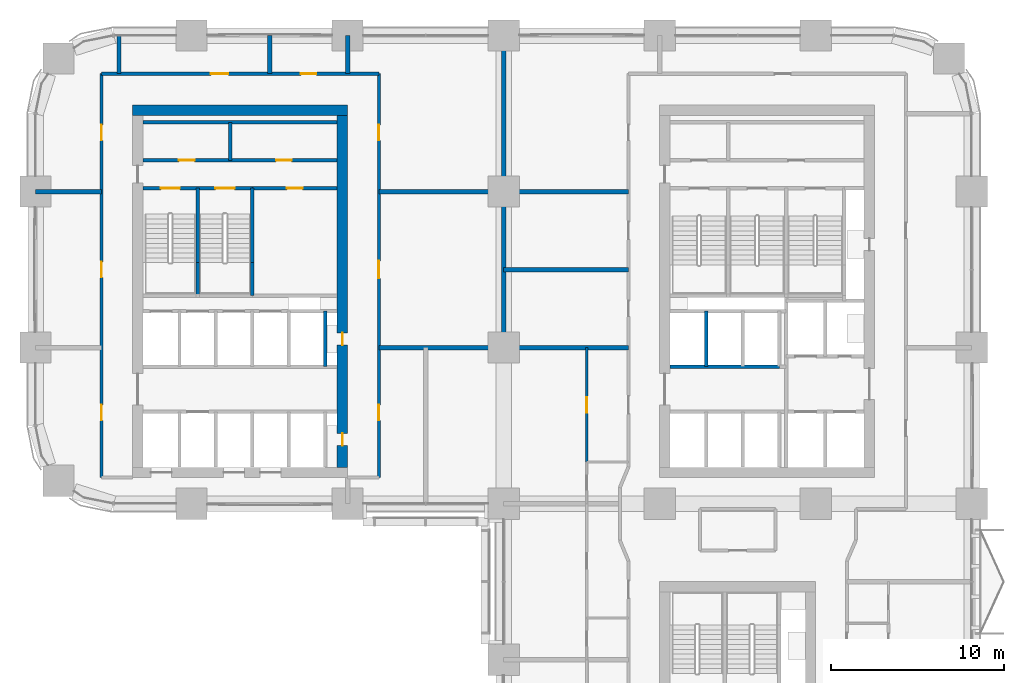
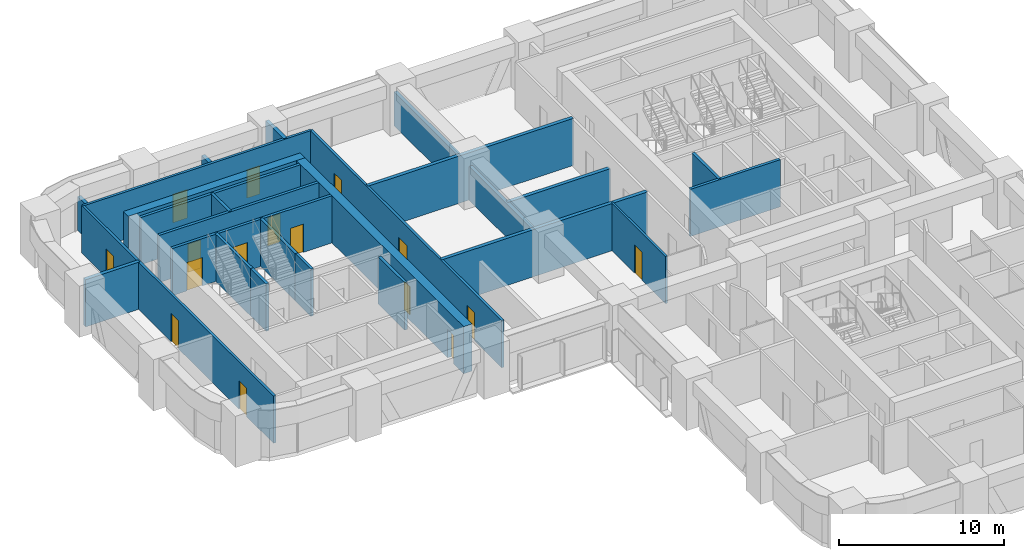
# One storey, part 14 of 18: 26 walls, 16 doors, 16 openings.
"""IFC4 building model written with IfcOpenShell, lengths in metres."""

from ifc_helpers import new_model, si_unit, direction, frame, frame_2d, origin, place, context, subcontext, project, spatial, rectangle, extrude, material, layer, layer_set, type_object, element, fill, save


model = new_model("IFC4")

# Units and contexts
model_context = context("Model", 3, precision=1e-05, world=origin(), true_north=direction((0.0, 1.0)))
body_context = subcontext(model_context, "Body", "Model", "MODEL_VIEW")
ifc_project = project(units=[si_unit("LENGTHUNIT", "METRE"), si_unit("AREAUNIT", "SQUARE_METRE"), si_unit("VOLUMEUNIT", "CUBIC_METRE"), si_unit("PLANEANGLEUNIT", "RADIAN"), si_unit("MASSUNIT", "GRAM", prefix="KILO")], contexts=[model_context])

# Site, building, storey
site_placement = place(None, origin())
site = spatial("IfcSite", under=ifc_project, at=site_placement, CompositionType="ELEMENT")
building_placement = place(site_placement, origin())
building = spatial("IfcBuilding", under=site, at=building_placement, Name="Tessera Arch", CompositionType="ELEMENT")
storey_placement = place(building_placement, frame((0.0, 0.0, 104.39990234375)))
storey = spatial("IfcBuildingStorey", under=building, at=storey_placement, Name="L24", CompositionType="ELEMENT", Elevation=104.39990234375)

# Wall
ifc_material_1 = material(Name="Gypsum board on steel stud", Category="steel")
ifc_layer_1 = layer(ifc_material_1, 0.125)
ifc_layer_set_1 = layer_set([ifc_layer_1], Name="Core partition 125 EI 60")
wall_type_1 = type_object("IfcWallType", Name="Core partition 125 EI 60", PredefinedType="PARTITIONING", material=ifc_layer_set_1)
wall_1_placement = place(storey_placement, frame((11.239990234375, 46.800048828125, 0.0), z_axis=(0.0, 0.0, 1.0), x_axis=(0.0, 1.0, 0.0)))
element("IfcWall", 1, at=wall_1_placement, inside=storey, type_object=wall_type_1, Name="L24 C2 partition wall 7", PredefinedType="PARTITIONING", context=body_context, shape_type="SweptSolid", body=[
    extrude(rectangle(XDim=2.199951171875, YDim=0.199951171875, at=frame_2d((1.10009765625, 0.0))), origin(), (0.0, 0.0, 1.0), 3.5),
])

# Wall, opening, door
wall_2_placement = place(storey_placement, frame((12.5, 45.199951171875, 0.0), z_axis=(0.0, 0.0, 1.0), x_axis=(1.0, 0.0, 0.0)))
wall_2 = element("IfcWall", 2, at=wall_2_placement, inside=storey, type_object=wall_type_1, Name="L24 C2 partition wall 23", PredefinedType="PARTITIONING", context=body_context, shape_type="SweptSolid", body=[
    extrude(rectangle(XDim=4.89990234375, YDim=0.199951171875, at=frame_2d((2.449951171875, 0.0))), origin(), (0.0, 0.0, 1.0), 3.5),
])
opening_1_placement = place(wall_2_placement, frame((2.0, 0.0, 0.0)))
opening_1 = element("IfcOpeningElement", 3, at=opening_1_placement, cuts=wall_2, Name="Opening L24-C30", PredefinedType="OPENING", context=body_context, shape_type="SweptSolid", body=[
    extrude(rectangle(XDim=0.89990234375, YDim=2.10009765625, at=frame_2d((0.449951171875, 1.050048828125))), frame((0.0, 0.10986328125, 0.0), z_axis=(0.0, -1.0, 0.0), x_axis=(1.0, 0.0, 0.0)), (0.0, 0.0, 1.0), 0.219970703125),
])
ifc_material_2 = material(Name="Steel door leaf", Category="steel")
door_type_1 = type_object("IfcDoorType", Name="Store door FD30S 900 x 2100", OperationType="SINGLE_SWING_LEFT", PredefinedType="DOOR", material=ifc_material_2)
door_1_placement = place(opening_1_placement, origin())
door_1 = element("IfcDoor", 4, at=door_1_placement, inside=storey, type_object=door_type_1, Name="L24 C2 door 17 C30 type D09", OperationType="SINGLE_SWING_RIGHT", OverallHeight=2.10009765625, OverallWidth=0.89990234375, PredefinedType="DOOR", context=body_context, shape_type="SweptSolid", body=[
    extrude(rectangle(XDim=0.89990234375, YDim=2.10009765625, at=frame_2d((0.449951171875, 1.050048828125))), frame((0.0, 0.02490234375, 0.0), z_axis=(0.0, -1.0, 0.0), x_axis=(1.0, 0.0, 0.0)), (0.0, 0.0, 1.0), 0.050048828125),
])
fill(opening_1, door_1)

# Wall, openings, doors
wall_3_placement = place(storey_placement, frame((6.199951171875, 46.800048828125, 0.0), z_axis=(0.0, 0.0, 1.0), x_axis=(1.0, 0.0, 0.0)))
wall_3 = element("IfcWall", 5, at=wall_3_placement, inside=storey, type_object=wall_type_1, Name="L24 C2 partition wall 25", PredefinedType="PARTITIONING", context=body_context, shape_type="SweptSolid", body=[
    extrude(rectangle(XDim=11.199951171875, YDim=0.199951171875, at=frame_2d((5.60009765625, 0.0))), origin(), (0.0, 0.0, 1.0), 3.5),
])
opening_2_placement = place(wall_3_placement, frame((2.070068359375, 0.0, 0.0)))
opening_2 = element("IfcOpeningElement", 6, at=opening_2_placement, cuts=wall_3, Name="Opening L24-C28", PredefinedType="OPENING", context=body_context, shape_type="SweptSolid", body=[
    extrude(rectangle(XDim=0.89990234375, YDim=2.10009765625, at=frame_2d((0.449951171875, 1.050048828125))), frame((0.0, 0.10986328125, 0.0), z_axis=(0.0, -1.0, 0.0), x_axis=(1.0, 0.0, 0.0)), (0.0, 0.0, 1.0), 0.219970703125),
])
opening_3_placement = place(wall_3_placement, frame((7.669921875, 0.0, 0.0)))
opening_3 = element("IfcOpeningElement", 7, at=opening_3_placement, cuts=wall_3, Name="Opening L24-C29", PredefinedType="OPENING", context=body_context, shape_type="SweptSolid", body=[
    extrude(rectangle(XDim=0.89990234375, YDim=2.10009765625, at=frame_2d((0.449951171875, 1.050048828125))), frame((0.0, 0.10986328125, 0.0), z_axis=(0.0, -1.0, 0.0), x_axis=(1.0, 0.0, 0.0)), (0.0, 0.0, 1.0), 0.219970703125),
])
door_2_placement = place(opening_2_placement, origin())
door_2 = element("IfcDoor", 8, at=door_2_placement, inside=storey, type_object=door_type_1, Name="L24 C2 door 15 C28 type D09", OperationType="SINGLE_SWING_LEFT", OverallHeight=2.10009765625, OverallWidth=0.89990234375, PredefinedType="DOOR", context=body_context, shape_type="SweptSolid", body=[
    extrude(rectangle(XDim=0.89990234375, YDim=2.10009765625, at=frame_2d((0.449951171875, 1.050048828125))), frame((0.0, 0.02490234375, 0.0), z_axis=(0.0, -1.0, 0.0), x_axis=(1.0, 0.0, 0.0)), (0.0, 0.0, 1.0), 0.050048828125),
])
fill(opening_2, door_2)
door_3_placement = place(opening_3_placement, origin())
door_3 = element("IfcDoor", 9, at=door_3_placement, inside=storey, type_object=door_type_1, Name="L24 C2 door 16 C29 type D09", OperationType="SINGLE_SWING_RIGHT", OverallHeight=2.10009765625, OverallWidth=0.89990234375, PredefinedType="DOOR", context=body_context, shape_type="SweptSolid", body=[
    extrude(rectangle(XDim=0.89990234375, YDim=2.10009765625, at=frame_2d((0.449951171875, 1.050048828125))), frame((0.0, 0.02490234375, 0.0), z_axis=(0.0, -1.0, 0.0), x_axis=(1.0, 0.0, 0.0)), (0.0, 0.0, 1.0), 0.050048828125),
])
fill(opening_3, door_3)

# Walls
wall_4_placement = place(storey_placement, frame((6.199951171875, 49.0, 0.0), z_axis=(0.0, 0.0, 1.0), x_axis=(1.0, 0.0, 0.0)))
element("IfcWall", 10, at=wall_4_placement, inside=storey, type_object=wall_type_1, Name="L24 C2 partition wall 26", PredefinedType="PARTITIONING", context=body_context, shape_type="SweptSolid", body=[
    extrude(rectangle(XDim=11.199951171875, YDim=0.199951171875, at=frame_2d((5.60009765625, 0.0))), origin(), (0.0, 0.0, 1.0), 3.5),
])
ifc_material_3 = material(Name="Concrete C70/85", Category="concrete")
ifc_layer_2 = layer(ifc_material_3, 0.60009765625)
ifc_layer_set_2 = layer_set([ifc_layer_2], Name="Core shell wall 600 C70-85")
wall_type_2 = type_object("IfcWallType", Name="Core shell wall 600 C70-85", PredefinedType="SHEAR", material=ifc_layer_set_2)
wall_5_placement = place(storey_placement, frame((5.60009765625, 49.699951171875, 0.0), z_axis=(0.0, 0.0, 1.0), x_axis=(1.0, 0.0, 0.0)))
element("IfcWall", 11, at=wall_5_placement, inside=storey, type_object=wall_type_2, Name="L24 C2 core wall N", PredefinedType="SHEAR", context=body_context, shape_type="SweptSolid", body=[
    extrude(rectangle(XDim=12.39990234375, YDim=0.60009765625, at=frame_2d((6.199951171875, 0.0))), origin(), (0.0, 0.0, 1.0), 3.5),
])

# Wall, openings, doors
wall_6_placement = place(storey_placement, frame((17.699951171875, 29.10009765625, 0.0), z_axis=(0.0, 0.0, 1.0), x_axis=(0.0, 1.0, 0.0)))
wall_6 = element("IfcWall", 12, at=wall_6_placement, inside=storey, type_object=wall_type_2, Name="L24 C2 core wall E", PredefinedType="SHEAR", context=body_context, shape_type="SweptSolid", body=[
    extrude(rectangle(XDim=20.2998046875, YDim=0.60009765625, at=frame_2d((10.14990234375, 0.0))), origin(), (0.0, 0.0, 1.0), 3.5),
])
opening_4_placement = place(wall_6_placement, frame((1.25, 0.0, 0.0)))
opening_4 = element("IfcOpeningElement", 13, at=opening_4_placement, cuts=wall_6, Name="Opening L24-C22", PredefinedType="OPENING", context=body_context, shape_type="SweptSolid", body=[
    extrude(rectangle(XDim=0.699951171875, YDim=2.10009765625, at=frame_2d((0.35009765625, 1.050048828125))), frame((0.0, 0.31005859375, 0.0), z_axis=(0.0, -1.0, 0.0), x_axis=(1.0, 0.0, 0.0)), (0.0, 0.0, 1.0), 0.6201171875),
])
opening_5_placement = place(wall_6_placement, frame((7.050048828125, 0.0, 0.0)))
opening_5 = element("IfcOpeningElement", 14, at=opening_5_placement, cuts=wall_6, Name="Opening L24-C23", PredefinedType="OPENING", context=body_context, shape_type="SweptSolid", body=[
    extrude(rectangle(XDim=0.699951171875, YDim=2.10009765625, at=frame_2d((0.35009765625, 1.050048828125))), frame((0.0, 0.31005859375, 0.0), z_axis=(0.0, -1.0, 0.0), x_axis=(1.0, 0.0, 0.0)), (0.0, 0.0, 1.0), 0.6201171875),
])
ifc_material_4 = material(Name="Steel door leaf", Category="steel")
door_type_2 = type_object("IfcDoorType", Name="Service shaft door FD60 700 x 2100", OperationType="SINGLE_SWING_LEFT", PredefinedType="DOOR", material=ifc_material_4)
door_4_placement = place(opening_4_placement, origin())
door_4 = element("IfcDoor", 15, at=door_4_placement, inside=storey, type_object=door_type_2, Name="L24 C2 door 9 C22 type D07", OperationType="SINGLE_SWING_LEFT", OverallHeight=2.10009765625, OverallWidth=0.699951171875, PredefinedType="DOOR", context=body_context, shape_type="SweptSolid", body=[
    extrude(rectangle(XDim=0.699951171875, YDim=2.10009765625, at=frame_2d((0.35009765625, 1.050048828125))), frame((0.0, 0.02490234375, 0.0), z_axis=(0.0, -1.0, 0.0), x_axis=(1.0, 0.0, 0.0)), (0.0, 0.0, 1.0), 0.050048828125),
])
fill(opening_4, door_4)
door_5_placement = place(opening_5_placement, origin())
door_5 = element("IfcDoor", 16, at=door_5_placement, inside=storey, type_object=door_type_2, Name="L24 C2 door 10 C23 type D07", OperationType="SINGLE_SWING_LEFT", OverallHeight=2.10009765625, OverallWidth=0.699951171875, PredefinedType="DOOR", context=body_context, shape_type="SweptSolid", body=[
    extrude(rectangle(XDim=0.699951171875, YDim=2.10009765625, at=frame_2d((0.35009765625, 1.050048828125))), frame((0.0, 0.02490234375, 0.0), z_axis=(0.0, -1.0, 0.0), x_axis=(1.0, 0.0, 0.0)), (0.0, 0.0, 1.0), 0.050048828125),
])
fill(opening_5, door_5)

ifc_material_5 = material(Name="Gypsum board on deep steel stud with mineral wool", Category="steel")
ifc_layer_3 = layer(ifc_material_5, 0.175048828125)
ifc_layer_set_3 = layer_set([ifc_layer_3], Name="Corridor wall 175 EI 60")
wall_type_3 = type_object("IfcWallType", Name="Corridor wall 175 EI 60", PredefinedType="PARTITIONING", material=ifc_layer_set_3)
wall_7_placement = place(storey_placement, frame((3.800048828125, 51.800048828125, 0.0), z_axis=(0.0, 0.0, 1.0), x_axis=(1.0, 0.0, 0.0)))
wall_7 = element("IfcWall", 17, at=wall_7_placement, inside=storey, type_object=wall_type_3, Name="L24 partition 7", PredefinedType="PARTITIONING", context=body_context, shape_type="SweptSolid", body=[
    extrude(rectangle(XDim=16.0, YDim=0.175048828125, at=frame_2d((8.0, 0.0))), origin(), (0.0, 0.0, 1.0), 3.5),
])
opening_6_placement = place(wall_7_placement, frame((6.314453125, 0.0, 0.0)))
opening_6 = element("IfcOpeningElement", 18, at=opening_6_placement, cuts=wall_7, Name="Opening L24-D034", PredefinedType="OPENING", context=body_context, shape_type="SweptSolid", body=[
    extrude(rectangle(XDim=1.0, YDim=2.10009765625, at=frame_2d((0.5, 1.050048828125))), frame((0.0, 0.097412109375, 0.0), z_axis=(0.0, -1.0, 0.0), x_axis=(1.0, 0.0, 0.0)), (0.0, 0.0, 1.0), 0.195068359375),
])
opening_7_placement = place(wall_7_placement, frame((11.5, 0.0, 0.0)))
opening_7 = element("IfcOpeningElement", 19, at=opening_7_placement, cuts=wall_7, Name="Opening L24-D035", PredefinedType="OPENING", context=body_context, shape_type="SweptSolid", body=[
    extrude(rectangle(XDim=0.89990234375, YDim=2.10009765625, at=frame_2d((0.449951171875, 1.050048828125))), frame((0.0, 0.097412109375, 0.0), z_axis=(0.0, -1.0, 0.0), x_axis=(1.0, 0.0, 0.0)), (0.0, 0.0, 1.0), 0.195068359375),
])
ifc_material_6 = material(Name="Fire-rated door leaf")
door_type_3 = type_object("IfcDoorType", Name="Entrance door FD30S 1000 x 2100", OperationType="SINGLE_SWING_LEFT", PredefinedType="DOOR", material=ifc_material_6)
door_6_placement = place(opening_6_placement, origin())
door_6 = element("IfcDoor", 20, at=door_6_placement, inside=storey, type_object=door_type_3, Name="L24 door D034 type D03", OperationType="SINGLE_SWING_RIGHT", OverallHeight=2.10009765625, OverallWidth=1.0, PredefinedType="DOOR", context=body_context, shape_type="SweptSolid", body=[
    extrude(rectangle(XDim=1.0, YDim=2.10009765625, at=frame_2d((0.5, 1.050048828125))), frame((0.0, 0.02490234375, 0.0), z_axis=(0.0, -1.0, 0.0), x_axis=(1.0, 0.0, 0.0)), (0.0, 0.0, 1.0), 0.050048828125),
])
fill(opening_6, door_6)
ifc_material_7 = material(Name="Timber door leaf", Category="wood")
door_type_4 = type_object("IfcDoorType", Name="Room door 900 x 2100", OperationType="SINGLE_SWING_LEFT", PredefinedType="DOOR", material=ifc_material_7)
door_7_placement = place(opening_7_placement, origin())
door_7 = element("IfcDoor", 21, at=door_7_placement, inside=storey, type_object=door_type_4, Name="L24 door D035 type D01", OperationType="SINGLE_SWING_LEFT", OverallHeight=2.10009765625, OverallWidth=0.89990234375, PredefinedType="DOOR", context=body_context, shape_type="SweptSolid", body=[
    extrude(rectangle(XDim=0.89990234375, YDim=2.10009765625, at=frame_2d((0.449951171875, 1.050048828125))), frame((0.0, 0.02490234375, 0.0), z_axis=(0.0, -1.0, 0.0), x_axis=(1.0, 0.0, 0.0)), (0.0, 0.0, 1.0), 0.050048828125),
])
fill(opening_7, door_7)

wall_8_placement = place(storey_placement, frame((3.800048828125, 28.5, 0.0), z_axis=(0.0, 0.0, 1.0), x_axis=(0.0, 1.0, 0.0)))
wall_8 = element("IfcWall", 22, at=wall_8_placement, inside=storey, type_object=wall_type_3, Name="L24 partition 9", PredefinedType="PARTITIONING", context=body_context, shape_type="SweptSolid", body=[
    extrude(rectangle(XDim=23.300048828125, YDim=0.175048828125, at=frame_2d((11.64990234375, 0.0))), origin(), (0.0, 0.0, 1.0), 3.5),
])
opening_8_placement = place(wall_8_placement, frame((3.300048828125, 0.0, 0.0)))
opening_8 = element("IfcOpeningElement", 23, at=opening_8_placement, cuts=wall_8, Name="Opening L24-D020", PredefinedType="OPENING", context=body_context, shape_type="SweptSolid", body=[
    extrude(rectangle(XDim=0.89990234375, YDim=2.10009765625, at=frame_2d((0.449951171875, 1.050048828125))), frame((0.0, 0.097412109375, 0.0), z_axis=(0.0, -1.0, 0.0), x_axis=(1.0, 0.0, 0.0)), (0.0, 0.0, 1.0), 0.195068359375),
])
opening_9_placement = place(wall_8_placement, frame((11.550048828125, 0.0, 0.0)))
opening_9 = element("IfcOpeningElement", 24, at=opening_9_placement, cuts=wall_8, Name="Opening L24-D026", PredefinedType="OPENING", context=body_context, shape_type="SweptSolid", body=[
    extrude(rectangle(XDim=0.89990234375, YDim=2.10009765625, at=frame_2d((0.449951171875, 1.050048828125))), frame((0.0, 0.097412109375, 0.0), z_axis=(0.0, -1.0, 0.0), x_axis=(1.0, 0.0, 0.0)), (0.0, 0.0, 1.0), 0.195068359375),
])
opening_10_placement = place(wall_8_placement, frame((19.449951171875, 0.0, 0.0)))
opening_10 = element("IfcOpeningElement", 25, at=opening_10_placement, cuts=wall_8, Name="Opening L24-D030", PredefinedType="OPENING", context=body_context, shape_type="SweptSolid", body=[
    extrude(rectangle(XDim=0.89990234375, YDim=2.10009765625, at=frame_2d((0.449951171875, 1.050048828125))), frame((0.0, 0.097412109375, 0.0), z_axis=(0.0, -1.0, 0.0), x_axis=(1.0, 0.0, 0.0)), (0.0, 0.0, 1.0), 0.195068359375),
])
door_8_placement = place(opening_8_placement, origin())
door_8 = element("IfcDoor", 26, at=door_8_placement, inside=storey, type_object=door_type_4, Name="L24 door D020 type D01", OperationType="SINGLE_SWING_RIGHT", OverallHeight=2.10009765625, OverallWidth=0.89990234375, PredefinedType="DOOR", context=body_context, shape_type="SweptSolid", body=[
    extrude(rectangle(XDim=0.89990234375, YDim=2.10009765625, at=frame_2d((0.449951171875, 1.050048828125))), frame((0.0, 0.02490234375, 0.0), z_axis=(0.0, -1.0, 0.0), x_axis=(1.0, 0.0, 0.0)), (0.0, 0.0, 1.0), 0.050048828125),
])
fill(opening_8, door_8)
door_9_placement = place(opening_9_placement, origin())
door_9 = element("IfcDoor", 27, at=door_9_placement, inside=storey, type_object=door_type_4, Name="L24 door D026 type D01", OperationType="SINGLE_SWING_RIGHT", OverallHeight=2.10009765625, OverallWidth=0.89990234375, PredefinedType="DOOR", context=body_context, shape_type="SweptSolid", body=[
    extrude(rectangle(XDim=0.89990234375, YDim=2.10009765625, at=frame_2d((0.449951171875, 1.050048828125))), frame((0.0, 0.02490234375, 0.0), z_axis=(0.0, -1.0, 0.0), x_axis=(1.0, 0.0, 0.0)), (0.0, 0.0, 1.0), 0.050048828125),
])
fill(opening_9, door_9)
door_10_placement = place(opening_10_placement, origin())
door_10 = element("IfcDoor", 28, at=door_10_placement, inside=storey, type_object=door_type_4, Name="L24 door D030 type D01", OperationType="SINGLE_SWING_RIGHT", OverallHeight=2.10009765625, OverallWidth=0.89990234375, PredefinedType="DOOR", context=body_context, shape_type="SweptSolid", body=[
    extrude(rectangle(XDim=0.89990234375, YDim=2.10009765625, at=frame_2d((0.449951171875, 1.050048828125))), frame((0.0, 0.02490234375, 0.0), z_axis=(0.0, -1.0, 0.0), x_axis=(1.0, 0.0, 0.0)), (0.0, 0.0, 1.0), 0.050048828125),
])
fill(opening_10, door_10)

wall_9_placement = place(storey_placement, frame((19.800048828125, 28.5, 0.0), z_axis=(0.0, 0.0, 1.0), x_axis=(0.0, 1.0, 0.0)))
wall_9 = element("IfcWall", 29, at=wall_9_placement, inside=storey, type_object=wall_type_3, Name="L24 partition 10", PredefinedType="PARTITIONING", context=body_context, shape_type="SweptSolid", body=[
    extrude(rectangle(XDim=23.300048828125, YDim=0.175048828125, at=frame_2d((11.64990234375, 0.0))), origin(), (0.0, 0.0, 1.0), 3.5),
])
opening_11_placement = place(wall_9_placement, frame((3.300048828125, 0.0, 0.0)))
opening_11 = element("IfcOpeningElement", 30, at=opening_11_placement, cuts=wall_9, Name="Opening L24-D021", PredefinedType="OPENING", context=body_context, shape_type="SweptSolid", body=[
    extrude(rectangle(XDim=0.89990234375, YDim=2.10009765625, at=frame_2d((0.449951171875, 1.050048828125))), frame((0.0, 0.097412109375, 0.0), z_axis=(0.0, -1.0, 0.0), x_axis=(1.0, 0.0, 0.0)), (0.0, 0.0, 1.0), 0.195068359375),
])
opening_12_placement = place(wall_9_placement, frame((11.5, 0.0, 0.0)))
opening_12 = element("IfcOpeningElement", 31, at=opening_12_placement, cuts=wall_9, Name="Opening L24-D027", PredefinedType="OPENING", context=body_context, shape_type="SweptSolid", body=[
    extrude(rectangle(XDim=1.0, YDim=2.10009765625, at=frame_2d((0.5, 1.050048828125))), frame((0.0, 0.097412109375, 0.0), z_axis=(0.0, -1.0, 0.0), x_axis=(1.0, 0.0, 0.0)), (0.0, 0.0, 1.0), 0.195068359375),
])
opening_13_placement = place(wall_9_placement, frame((19.449951171875, 0.0, 0.0)))
opening_13 = element("IfcOpeningElement", 32, at=opening_13_placement, cuts=wall_9, Name="Opening L24-D031", PredefinedType="OPENING", context=body_context, shape_type="SweptSolid", body=[
    extrude(rectangle(XDim=0.89990234375, YDim=2.10009765625, at=frame_2d((0.449951171875, 1.050048828125))), frame((0.0, 0.097412109375, 0.0), z_axis=(0.0, -1.0, 0.0), x_axis=(1.0, 0.0, 0.0)), (0.0, 0.0, 1.0), 0.195068359375),
])
door_11_placement = place(opening_12_placement, origin())
door_11 = element("IfcDoor", 33, at=door_11_placement, inside=storey, type_object=door_type_3, Name="L24 door D027 type D03", OperationType="SINGLE_SWING_RIGHT", OverallHeight=2.10009765625, OverallWidth=1.0, PredefinedType="DOOR", context=body_context, shape_type="SweptSolid", body=[
    extrude(rectangle(XDim=1.0, YDim=2.10009765625, at=frame_2d((0.5, 1.050048828125))), frame((0.0, 0.02490234375, 0.0), z_axis=(0.0, -1.0, 0.0), x_axis=(1.0, 0.0, 0.0)), (0.0, 0.0, 1.0), 0.050048828125),
])
fill(opening_12, door_11)
door_12_placement = place(opening_11_placement, origin())
door_12 = element("IfcDoor", 34, at=door_12_placement, inside=storey, type_object=door_type_4, Name="L24 door D021 type D01", OperationType="SINGLE_SWING_RIGHT", OverallHeight=2.10009765625, OverallWidth=0.89990234375, PredefinedType="DOOR", context=body_context, shape_type="SweptSolid", body=[
    extrude(rectangle(XDim=0.89990234375, YDim=2.10009765625, at=frame_2d((0.449951171875, 1.050048828125))), frame((0.0, 0.02490234375, 0.0), z_axis=(0.0, -1.0, 0.0), x_axis=(1.0, 0.0, 0.0)), (0.0, 0.0, 1.0), 0.050048828125),
])
fill(opening_11, door_12)
door_13_placement = place(opening_13_placement, origin())
door_13 = element("IfcDoor", 35, at=door_13_placement, inside=storey, type_object=door_type_4, Name="L24 door D031 type D01", OperationType="SINGLE_SWING_RIGHT", OverallHeight=2.10009765625, OverallWidth=0.89990234375, PredefinedType="DOOR", context=body_context, shape_type="SweptSolid", body=[
    extrude(rectangle(XDim=0.89990234375, YDim=2.10009765625, at=frame_2d((0.449951171875, 1.050048828125))), frame((0.0, 0.02490234375, 0.0), z_axis=(0.0, -1.0, 0.0), x_axis=(1.0, 0.0, 0.0)), (0.0, 0.0, 1.0), 0.050048828125),
])
fill(opening_13, door_13)

# Wall, opening, door
ifc_material_8 = material(Name="Gypsum board on steel stud", Category="steel")
ifc_layer_4 = layer(ifc_material_8, 0.14990234375)
ifc_layer_set_4 = layer_set([ifc_layer_4], Name="Partition 150")
wall_type_4 = type_object("IfcWallType", Name="Partition 150", PredefinedType="PARTITIONING", material=ifc_layer_set_4)
wall_10_placement = place(storey_placement, frame((31.800048828125, 29.39990234375, 0.0), z_axis=(0.0, 0.0, 1.0), x_axis=(0.0, 1.0, 0.0)))
wall_10 = element("IfcWall", 36, at=wall_10_placement, inside=storey, type_object=wall_type_4, Name="L24 partition 22", PredefinedType="PARTITIONING", context=body_context, shape_type="SweptSolid", body=[
    extrude(rectangle(XDim=6.60009765625, YDim=0.14990234375, at=frame_2d((3.300048828125, 0.0))), origin(), (0.0, 0.0, 1.0), 3.5),
])
opening_14_placement = place(wall_10_placement, frame((2.85009765625, 0.0, 0.0)))
opening_14 = element("IfcOpeningElement", 37, at=opening_14_placement, cuts=wall_10, Name="Opening L24-D023", PredefinedType="OPENING", context=body_context, shape_type="SweptSolid", body=[
    extrude(rectangle(XDim=0.89990234375, YDim=2.10009765625, at=frame_2d((0.449951171875, 1.050048828125))), frame((0.0, 0.0849609375, 0.0), z_axis=(0.0, -1.0, 0.0), x_axis=(1.0, 0.0, 0.0)), (0.0, 0.0, 1.0), 0.169921875),
])
door_14_placement = place(opening_14_placement, origin())
door_14 = element("IfcDoor", 38, at=door_14_placement, inside=storey, type_object=door_type_4, Name="L24 door D023 type D01", OperationType="SINGLE_SWING_LEFT", OverallHeight=2.10009765625, OverallWidth=0.89990234375, PredefinedType="DOOR", context=body_context, shape_type="SweptSolid", body=[
    extrude(rectangle(XDim=0.89990234375, YDim=2.10009765625, at=frame_2d((0.449951171875, 1.050048828125))), frame((0.0, 0.02490234375, 0.0), z_axis=(0.0, -1.0, 0.0), x_axis=(1.0, 0.0, 0.0)), (0.0, 0.0, 1.0), 0.050048828125),
])
fill(opening_14, door_14)

# Walls
ifc_material_9 = material(Name="Double gypsum board on twin steel stud with acoustic mineral wool", Category="steel")
ifc_layer_5 = layer(ifc_material_9, 0.25)
ifc_layer_set_5 = layer_set([ifc_layer_5], Name="Party wall 250 EI 60")
wall_type_5 = type_object("IfcWallType", Name="Party wall 250 EI 60", PredefinedType="PARTITIONING", material=ifc_layer_set_5)
wall_11_placement = place(storey_placement, frame((19.800048828125, 36.0, 0.0), z_axis=(0.0, 0.0, 1.0), x_axis=(1.0, 0.0, 0.0)))
element("IfcWall", 39, at=wall_11_placement, inside=storey, type_object=wall_type_5, Name="L24 partition 32", PredefinedType="PARTITIONING", context=body_context, shape_type="SweptSolid", body=[
    extrude(rectangle(XDim=14.39990234375, YDim=0.25, at=frame_2d((7.199951171875, 0.0))), origin(), (0.0, 0.0, 1.0), 3.5),
])
wall_12_placement = place(storey_placement, frame((27.0, 40.5, 0.0), z_axis=(0.0, 0.0, 1.0), x_axis=(1.0, 0.0, 0.0)))
element("IfcWall", 40, at=wall_12_placement, inside=storey, type_object=wall_type_5, Name="L24 partition 34", PredefinedType="PARTITIONING", context=body_context, shape_type="SweptSolid", body=[
    extrude(rectangle(XDim=7.199951171875, YDim=0.25, at=frame_2d((3.60009765625, 0.0))), origin(), (0.0, 0.0, 1.0), 2.5),
])
wall_13_placement = place(storey_placement, frame((0.0, 45.0, 0.0), z_axis=(0.0, 0.0, 1.0), x_axis=(1.0, 0.0, 0.0)))
element("IfcWall", 41, at=wall_13_placement, inside=storey, type_object=wall_type_5, Name="L24 partition 35", PredefinedType="PARTITIONING", context=body_context, shape_type="SweptSolid", body=[
    extrude(rectangle(XDim=3.800048828125, YDim=0.25, at=frame_2d((1.89990234375, 0.0))), origin(), (0.0, 0.0, 1.0), 3.5),
])
wall_14_placement = place(storey_placement, frame((19.800048828125, 45.0, 0.0), z_axis=(0.0, 0.0, 1.0), x_axis=(1.0, 0.0, 0.0)))
element("IfcWall", 42, at=wall_14_placement, inside=storey, type_object=wall_type_5, Name="L24 partition 36", PredefinedType="PARTITIONING", context=body_context, shape_type="SweptSolid", body=[
    extrude(rectangle(XDim=14.39990234375, YDim=0.25, at=frame_2d((7.199951171875, 0.0))), origin(), (0.0, 0.0, 1.0), 3.5),
])
for number, where, z_axis, x_axis, name in (
    (43, (4.81494140625, 51.800048828125, 0.0), (0.0, 0.0, 1.0), (0.0, 1.0, 0.0), "L24 partition 38"),
    (44, (13.5, 51.800048828125, 0.0), (0.0, 0.0, 1.0), (0.0, 1.0, 0.0), "L24 partition 39"),
):
    element("IfcWall", number, at=place(storey_placement, frame(where, z_axis=z_axis, x_axis=x_axis)), inside=storey, type_object=wall_type_5, Name=name, PredefinedType="PARTITIONING", context=body_context, shape_type="SweptSolid", body=[
        extrude(rectangle(XDim=2.199951171875, YDim=0.25, at=frame_2d((1.10009765625, 0.0))), origin(), (0.0, 0.0, 1.0), 2.5),
    ])
wall_15_placement = place(storey_placement, frame((18.0, 51.800048828125, 0.0), z_axis=(0.0, 0.0, 1.0), x_axis=(0.0, 1.0, 0.0)))
element("IfcWall", 45, at=wall_15_placement, inside=storey, type_object=wall_type_5, Name="L24 partition 41", PredefinedType="PARTITIONING", context=body_context, shape_type="SweptSolid", body=[
    extrude(rectangle(XDim=2.199951171875, YDim=0.25, at=frame_2d((1.10009765625, 0.0))), origin(), (0.0, 0.0, 1.0), 3.5),
])
wall_16_placement = place(storey_placement, frame((27.0, 36.0, 0.0), z_axis=(0.0, 0.0, 1.0), x_axis=(0.0, 1.0, 0.0)))
element("IfcWall", 46, at=wall_16_placement, inside=storey, type_object=wall_type_5, Name="L24 partition 43", PredefinedType="PARTITIONING", context=body_context, shape_type="SweptSolid", body=[
    extrude(rectangle(XDim=18.0, YDim=0.25, at=frame_2d((9.0, 0.0))), origin(), (0.0, 0.0, 1.0), 2.5),
])
ifc_material_10 = material(Name="Concrete C40/50", Category="concrete")
ifc_layer_6 = layer(ifc_material_10, 0.199951171875)
ifc_layer_set_6 = layer_set([ifc_layer_6], Name="Shaft wall 200 EI 120")
wall_type_6 = type_object("IfcWallType", Name="Shaft wall 200 EI 120", PredefinedType="SOLIDWALL", material=ifc_layer_set_6)
wall_17_placement = place(storey_placement, frame((38.699951171875, 34.89990234375, 0.0), z_axis=(0.0, 0.0, 1.0), x_axis=(0.0, 1.0, 0.0)))
element("IfcWall", 47, at=wall_17_placement, inside=storey, type_object=wall_type_6, Name="L24 C1 shaft wall 2", PredefinedType="SOLIDWALL", context=body_context, shape_type="SweptSolid", body=[
    extrude(rectangle(XDim=3.2001953125, YDim=0.199951171875, at=frame_2d((1.60009765625, 0.0))), origin(), (0.0, 0.0, 1.0), 3.5),
])
wall_18_placement = place(storey_placement, frame((36.60009765625, 34.89990234375, 0.0), z_axis=(0.0, 0.0, 1.0), x_axis=(1.0, 0.0, 0.0)))
element("IfcWall", 48, at=wall_18_placement, inside=storey, type_object=wall_type_6, Name="L24 C1 shaft wall 20", PredefinedType="SOLIDWALL", context=body_context, shape_type="SweptSolid", body=[
    extrude(rectangle(XDim=6.2998046875, YDim=0.199951171875, at=frame_2d((3.14990234375, 0.0))), origin(), (0.0, 0.0, 1.0), 3.5),
])
wall_19_placement = place(storey_placement, frame((16.699951171875, 34.89990234375, 0.0), z_axis=(0.0, 0.0, 1.0), x_axis=(0.0, 1.0, 0.0)))
element("IfcWall", 49, at=wall_19_placement, inside=storey, type_object=wall_type_6, Name="L24 C2 shaft wall 15", PredefinedType="SOLIDWALL", context=body_context, shape_type="SweptSolid", body=[
    extrude(rectangle(XDim=3.2001953125, YDim=0.199951171875, at=frame_2d((1.60009765625, 0.0))), origin(), (0.0, 0.0, 1.0), 3.5),
])
ifc_material_11 = material(Name="Concrete C40/50", Category="concrete")
ifc_layer_7 = layer(ifc_material_11, 0.199951171875)
ifc_layer_set_7 = layer_set([ifc_layer_7], Name="Stair well wall 200 REI 180")
wall_type_7 = type_object("IfcWallType", Name="Stair well wall 200 REI 180", PredefinedType="SOLIDWALL", material=ifc_layer_set_7)
wall_20_placement = place(storey_placement, frame((9.35009765625, 39.0, 0.0), z_axis=(0.0, 0.0, 1.0), x_axis=(0.0, 1.0, 0.0)))
element("IfcWall", 50, at=wall_20_placement, inside=storey, type_object=wall_type_7, Name="L24 C2 shaft wall 3", PredefinedType="SOLIDWALL", context=body_context, shape_type="SweptSolid", body=[
    extrude(rectangle(XDim=1.89990234375, YDim=0.199951171875, at=frame_2d((0.949951171875, 0.0))), origin(), (0.0, 0.0, 1.0), 3.5),
])
wall_21_placement = place(storey_placement, frame((9.35009765625, 40.89990234375, 0.0), z_axis=(0.0, 0.0, 1.0), x_axis=(0.0, 1.0, 0.0)))
element("IfcWall", 51, at=wall_21_placement, inside=storey, type_object=wall_type_7, Name="L24 C2 shaft wall 4", PredefinedType="SOLIDWALL", context=body_context, shape_type="SweptSolid", body=[
    extrude(rectangle(XDim=4.300048828125, YDim=0.199951171875, at=frame_2d((2.14990234375, 0.0))), origin(), (0.0, 0.0, 1.0), 3.5),
])
wall_22_placement = place(storey_placement, frame((12.5, 39.0, 0.0), z_axis=(0.0, 0.0, 1.0), x_axis=(0.0, 1.0, 0.0)))
element("IfcWall", 52, at=wall_22_placement, inside=storey, type_object=wall_type_7, Name="L24 C2 shaft wall 10", PredefinedType="SOLIDWALL", context=body_context, shape_type="SweptSolid", body=[
    extrude(rectangle(XDim=1.89990234375, YDim=0.199951171875, at=frame_2d((0.949951171875, 0.0))), origin(), (0.0, 0.0, 1.0), 3.5),
])
wall_23_placement = place(storey_placement, frame((12.5, 40.89990234375, 0.0), z_axis=(0.0, 0.0, 1.0), x_axis=(0.0, 1.0, 0.0)))
element("IfcWall", 53, at=wall_23_placement, inside=storey, type_object=wall_type_7, Name="L24 C2 shaft wall 11", PredefinedType="SOLIDWALL", context=body_context, shape_type="SweptSolid", body=[
    extrude(rectangle(XDim=4.300048828125, YDim=0.199951171875, at=frame_2d((2.14990234375, 0.0))), origin(), (0.0, 0.0, 1.0), 3.5),
])

# Wall, openings, doors
wall_24_placement = place(storey_placement, frame((6.199951171875, 45.199951171875, 0.0), z_axis=(0.0, 0.0, 1.0), x_axis=(1.0, 0.0, 0.0)))
wall_24 = element("IfcWall", 54, at=wall_24_placement, inside=storey, type_object=wall_type_7, Name="L24 C2 shaft wall 24", PredefinedType="SOLIDWALL", context=body_context, shape_type="SweptSolid", body=[
    extrude(rectangle(XDim=6.300048828125, YDim=0.199951171875, at=frame_2d((3.14990234375, 0.0))), origin(), (0.0, 0.0, 1.0), 3.5),
])
opening_15_placement = place(wall_24_placement, frame((1.02490234375, 0.0, 0.0)))
opening_15 = element("IfcOpeningElement", 55, at=opening_15_placement, cuts=wall_24, Name="Opening L24-C25", PredefinedType="OPENING", context=body_context, shape_type="SweptSolid", body=[
    extrude(rectangle(XDim=1.10009765625, YDim=2.10009765625, at=frame_2d((0.550048828125, 1.050048828125))), frame((0.0, 0.10986328125, 0.0), z_axis=(0.0, -1.0, 0.0), x_axis=(1.0, 0.0, 0.0)), (0.0, 0.0, 1.0), 0.219970703125),
])
opening_16_placement = place(wall_24_placement, frame((4.175048828125, 0.0, 0.0)))
opening_16 = element("IfcOpeningElement", 56, at=opening_16_placement, cuts=wall_24, Name="Opening L24-C26", PredefinedType="OPENING", context=body_context, shape_type="SweptSolid", body=[
    extrude(rectangle(XDim=1.10009765625, YDim=2.10009765625, at=frame_2d((0.550048828125, 1.050048828125))), frame((0.0, 0.10986328125, 0.0), z_axis=(0.0, -1.0, 0.0), x_axis=(1.0, 0.0, 0.0)), (0.0, 0.0, 1.0), 0.219970703125),
])
ifc_material_12 = material(Name="Steel door leaf", Category="steel")
door_type_5 = type_object("IfcDoorType", Name="Stair door FD60 1100 x 2100", OperationType="SINGLE_SWING_LEFT", PredefinedType="DOOR", material=ifc_material_12)
door_15_placement = place(opening_15_placement, origin())
door_15 = element("IfcDoor", 57, at=door_15_placement, inside=storey, type_object=door_type_5, Name="L24 C2 door 12 C25 type D05", OperationType="SINGLE_SWING_LEFT", OverallHeight=2.10009765625, OverallWidth=1.10009765625, PredefinedType="DOOR", context=body_context, shape_type="SweptSolid", body=[
    extrude(rectangle(XDim=1.10009765625, YDim=2.10009765625, at=frame_2d((0.550048828125, 1.050048828125))), frame((0.0, 0.02490234375, 0.0), z_axis=(0.0, -1.0, 0.0), x_axis=(1.0, 0.0, 0.0)), (0.0, 0.0, 1.0), 0.050048828125),
])
fill(opening_15, door_15)
door_16_placement = place(opening_16_placement, origin())
door_16 = element("IfcDoor", 58, at=door_16_placement, inside=storey, type_object=door_type_5, Name="L24 C2 door 13 C26 type D05", OperationType="SINGLE_SWING_RIGHT", OverallHeight=2.10009765625, OverallWidth=1.10009765625, PredefinedType="DOOR", context=body_context, shape_type="SweptSolid", body=[
    extrude(rectangle(XDim=1.10009765625, YDim=2.10009765625, at=frame_2d((0.550048828125, 1.050048828125))), frame((0.0, 0.02490234375, 0.0), z_axis=(0.0, -1.0, 0.0), x_axis=(1.0, 0.0, 0.0)), (0.0, 0.0, 1.0), 0.050048828125),
])
fill(opening_16, door_16)

save(model, "model.ifc")
